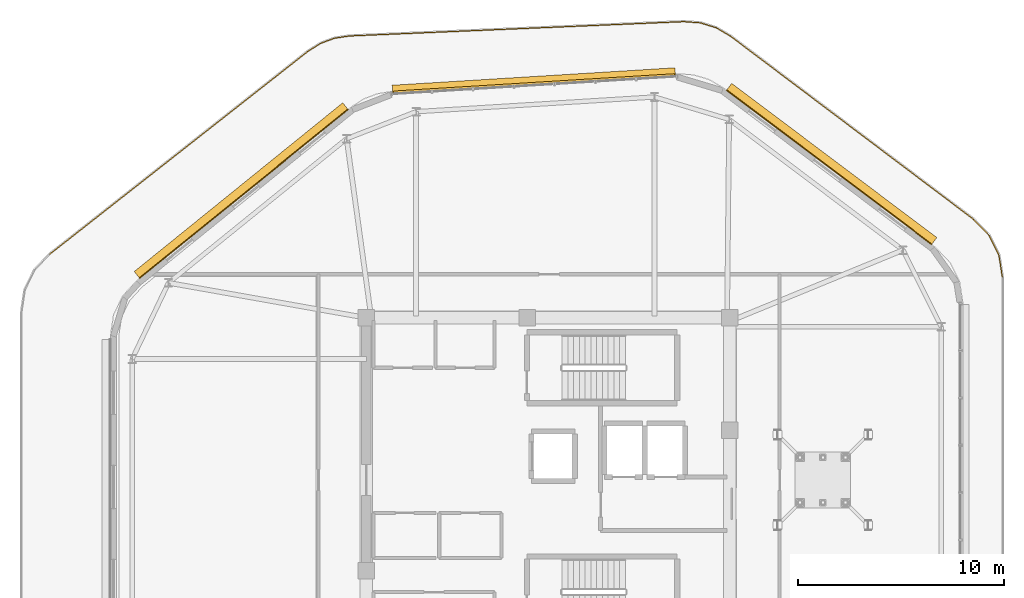
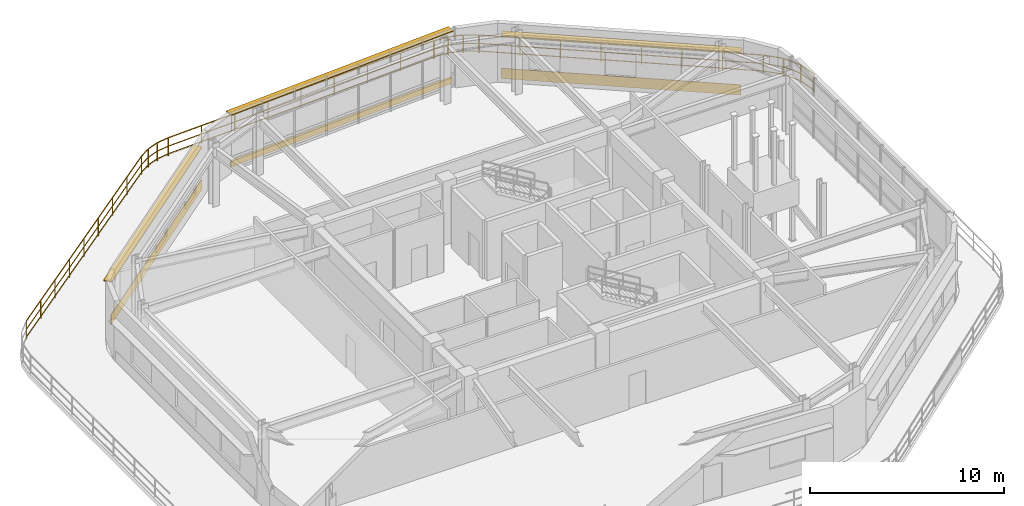
# One storey, part 13 of 13: 12 railings, 4 shading devices, 2 coverings.
"""IFC4 building model written with IfcOpenShell, lengths in metres."""

from ifc_helpers import new_model, si_unit, direction, frame, origin, origin_2d, place, context, subcontext, project, spatial, rectangle, extrude, material, layer, layer_set, type_object, element, save


model = new_model("IFC4")

# Units and contexts
model_context = context("Model", 3, precision=1e-05, world=origin(), true_north=direction((0.0, 1.0)))
body_context = subcontext(model_context, "Body", "Model", "MODEL_VIEW")
ifc_project = project(units=[si_unit("LENGTHUNIT", "METRE"), si_unit("AREAUNIT", "SQUARE_METRE"), si_unit("VOLUMEUNIT", "CUBIC_METRE"), si_unit("PLANEANGLEUNIT", "RADIAN"), si_unit("MASSUNIT", "GRAM", prefix="KILO")], contexts=[model_context])

# Site, building, storey
site_placement = place(None, origin())
site = spatial("IfcSite", under=ifc_project, at=site_placement, CompositionType="ELEMENT")
building_placement = place(site_placement, origin())
building = spatial("IfcBuilding", under=site, at=building_placement, Name="Zulverin Broadcast Headquarters", CompositionType="ELEMENT")
storey_placement = place(building_placement, frame((0.0, 0.0, 313.39990234375)))
storey = spatial("IfcBuildingStorey", under=building, at=storey_placement, Name="C1", CompositionType="ELEMENT", Elevation=313.39990234375)

# Coverings
ifc_material_1 = material(Name="Brushed pale-aluminium rainscreen cladding", Category="aluminium")
ifc_layer_1 = layer(ifc_material_1, 0.0400390625, Name="Brushed pale-aluminium rainscreen cladding", Category="aluminium")
ifc_layer_set_1 = layer_set([ifc_layer_1], Name="Brushed pale-aluminium rainscreen cladding")
covering_type = type_object("IfcCoveringType", Name="COV-CLAD-PALE", PredefinedType="CLADDING", material=ifc_layer_set_1)
covering_1_placement = place(storey_placement, frame((53.106201171875, 40.3896484375, 0.05517578125), z_axis=(0.0, 0.0, 1.0), x_axis=(-0.799364926249, 0.600845832708, 0.0)))
element("IfcCovering", 1, at=covering_1_placement, inside=storey, type_object=covering_type, Name="C1 Brushed Pale-Aluminium Spandrel Cladding 4", PredefinedType="CLADDING", context=body_context, shape_type="SweptSolid", body=[
    extrude(rectangle(XDim=12.466796875, YDim=0.0400390625, at=origin_2d()), origin(), (0.0, 0.0, 1.0), 0.64990234375),
])
covering_2_placement = place(storey_placement, frame((24.673828125, 39.10009765625, 0.05517578125), z_axis=(0.0, 0.0, 1.0), x_axis=(-0.777324964526, -0.629099276367, 0.0)))
element("IfcCovering", 2, at=covering_2_placement, inside=storey, type_object=covering_type, Name="C1 Brushed Pale-Aluminium Spandrel Cladding 6", PredefinedType="CLADDING", context=body_context, shape_type="SweptSolid", body=[
    extrude(rectangle(XDim=13.0283203125, YDim=0.0400390625, at=origin_2d()), origin(), (0.0, 0.0, 1.0), 0.64990234375),
])

# Railings
ifc_material_2 = material(Name="Brushed stainless steel & laminated glass balustrade", Category="steel")
railing_type = type_object("IfcRailingType", Name="RL-GUARD-1150", PredefinedType="GUARDRAIL", material=ifc_material_2)
railing_1_placement = place(storey_placement, frame((15.2421875, 36.1669921875, 0.0)))
element("IfcRailing", 3, at=railing_1_placement, inside=storey, type_object=railing_type, Name="C1 Stepped Crown Terrace Perimeter Balustrade Segment 09", PredefinedType="GUARDRAIL", context=body_context, shape_type="SweptSolid", body=[
    extrude(rectangle(XDim=0.048095703125, YDim=0.048095703125, at=origin_2d()), frame((0.0, 0.0, 1.1259765625), z_axis=(0.786374168578, 0.61775048927, 0.0), x_axis=(-0.61775048927, 0.786374168578, 0.0)), (0.0, 0.0, 1.0), 15.93212890625),
    extrude(rectangle(XDim=0.0419921875, YDim=0.0419921875, at=origin_2d()), frame((0.0, 0.0, 0.597900390625), z_axis=(0.786374168578, 0.61775048927, 0.0), x_axis=(-0.61775048927, 0.786374168578, 0.0)), (0.0, 0.0, 1.0), 15.93212890625),
    extrude(rectangle(XDim=0.0419921875, YDim=0.0419921875, at=origin_2d()), frame((0.0, 0.0, 0.1201171875), z_axis=(0.786374168578, 0.61775048927, 0.0), x_axis=(-0.61775048927, 0.786374168578, 0.0)), (0.0, 0.0, 1.0), 15.93212890625),
    extrude(rectangle(XDim=0.0419921875, YDim=0.0419921875, at=origin_2d()), origin(), (0.0, 0.0, 1.0), 1.101806640625),
    extrude(rectangle(XDim=0.0419921875, YDim=0.0419921875, at=origin_2d()), frame((1.566162109375, 1.230224609375, 0.0)), (0.0, 0.0, 1.0), 1.101806640625),
    extrude(rectangle(XDim=0.0419921875, YDim=0.0419921875, at=origin_2d()), frame((3.132080078125, 2.46044921875, 0.0)), (0.0, 0.0, 1.0), 1.101806640625),
    extrude(rectangle(XDim=0.0419921875, YDim=0.0419921875, at=origin_2d()), frame((4.6982421875, 3.690673828125, 0.0)), (0.0, 0.0, 1.0), 1.101806640625),
    extrude(rectangle(XDim=0.0419921875, YDim=0.0419921875, at=origin_2d()), frame((6.26416015625, 4.9208984375, 0.0)), (0.0, 0.0, 1.0), 1.101806640625),
    extrude(rectangle(XDim=0.0419921875, YDim=0.0419921875, at=origin_2d()), frame((7.830322265625, 6.1513671875, 0.0)), (0.0, 0.0, 1.0), 1.101806640625),
    extrude(rectangle(XDim=0.0419921875, YDim=0.0419921875, at=origin_2d()), frame((9.396484375, 7.381591796875, 0.0)), (0.0, 0.0, 1.0), 1.101806640625),
    extrude(rectangle(XDim=0.0419921875, YDim=0.0419921875, at=origin_2d()), frame((10.96240234375, 8.61181640625, 0.0)), (0.0, 0.0, 1.0), 1.101806640625),
    extrude(rectangle(XDim=0.0419921875, YDim=0.0419921875, at=origin_2d()), frame((12.528564453125, 9.842041015625, 0.0)), (0.0, 0.0, 1.0), 1.101806640625),
])
railing_2_placement = place(storey_placement, frame((27.79541015625, 46.0263671875, 0.0)))
element("IfcRailing", 4, at=railing_2_placement, inside=storey, type_object=railing_type, Name="C1 Stepped Crown Terrace Perimeter Balustrade Segment 10", PredefinedType="GUARDRAIL", context=body_context, shape_type="SweptSolid", body=[
    extrude(rectangle(XDim=0.048095703125, YDim=0.048095703125, at=origin_2d()), frame((0.0, 0.0, 1.1259765625), z_axis=(0.846024242344, 0.533144428242, 0.0), x_axis=(-0.533144428242, 0.846024242344, 0.0)), (0.0, 0.0, 1.0), 0.703857421875),
    extrude(rectangle(XDim=0.0419921875, YDim=0.0419921875, at=origin_2d()), frame((0.0, 0.0, 0.597900390625), z_axis=(0.846024242344, 0.533144428242, 0.0), x_axis=(-0.533144428242, 0.846024242344, 0.0)), (0.0, 0.0, 1.0), 0.703857421875),
    extrude(rectangle(XDim=0.0419921875, YDim=0.0419921875, at=origin_2d()), frame((0.0, 0.0, 0.1201171875), z_axis=(0.846024242344, 0.533144428242, 0.0), x_axis=(-0.533144428242, 0.846024242344, 0.0)), (0.0, 0.0, 1.0), 0.703857421875),
    extrude(rectangle(XDim=0.0419921875, YDim=0.0419921875, at=origin_2d()), origin(), (0.0, 0.0, 1.0), 1.101806640625),
    extrude(rectangle(XDim=0.0419921875, YDim=0.0419921875, at=origin_2d()), frame((0.595458984375, 0.375244140625, 0.0)), (0.0, 0.0, 1.0), 1.101806640625),
])
railing_3_placement = place(storey_placement, frame((28.41748046875, 46.414794921875, 0.0)))
element("IfcRailing", 5, at=railing_3_placement, inside=storey, type_object=railing_type, Name="C1 Stepped Crown Terrace Perimeter Balustrade Segment 11", PredefinedType="GUARDRAIL", context=body_context, shape_type="SweptSolid", body=[
    extrude(rectangle(XDim=0.048095703125, YDim=0.048095703125, at=origin_2d()), frame((0.0, 0.0, 1.1259765625), z_axis=(0.937925419525, 0.346837004095, 0.0), x_axis=(-0.346837004095, 0.937925419525, 0.0)), (0.0, 0.0, 1.0), 0.69970703125),
    extrude(rectangle(XDim=0.0419921875, YDim=0.0419921875, at=origin_2d()), frame((0.0, 0.0, 0.597900390625), z_axis=(0.937925419525, 0.346837004095, 0.0), x_axis=(-0.346837004095, 0.937925419525, 0.0)), (0.0, 0.0, 1.0), 0.69970703125),
    extrude(rectangle(XDim=0.0419921875, YDim=0.0419921875, at=origin_2d()), frame((0.0, 0.0, 0.1201171875), z_axis=(0.937925419525, 0.346837004095, 0.0), x_axis=(-0.346837004095, 0.937925419525, 0.0)), (0.0, 0.0, 1.0), 0.69970703125),
    extrude(rectangle(XDim=0.0419921875, YDim=0.0419921875, at=origin_2d()), origin(), (0.0, 0.0, 1.0), 1.101806640625),
    extrude(rectangle(XDim=0.0419921875, YDim=0.0419921875, at=origin_2d()), frame((0.65625, 0.24267578125, 0.0)), (0.0, 0.0, 1.0), 1.101806640625),
])
railing_4_placement = place(storey_placement, frame((29.1025390625, 46.664794921875, 0.0)))
element("IfcRailing", 6, at=railing_4_placement, inside=storey, type_object=railing_type, Name="C1 Stepped Crown Terrace Perimeter Balustrade Segment 12", PredefinedType="GUARDRAIL", context=body_context, shape_type="SweptSolid", body=[
    extrude(rectangle(XDim=0.048095703125, YDim=0.048095703125, at=origin_2d()), frame((0.0, 0.0, 1.1259765625), z_axis=(0.989287080021, 0.145983126775, 0.0), x_axis=(-0.145983126775, 0.989287080021, 0.0)), (0.0, 0.0, 1.0), 0.7041015625),
    extrude(rectangle(XDim=0.0419921875, YDim=0.0419921875, at=origin_2d()), frame((0.0, 0.0, 0.597900390625), z_axis=(0.989287080021, 0.145983126775, 0.0), x_axis=(-0.145983126775, 0.989287080021, 0.0)), (0.0, 0.0, 1.0), 0.7041015625),
    extrude(rectangle(XDim=0.0419921875, YDim=0.0419921875, at=origin_2d()), frame((0.0, 0.0, 0.1201171875), z_axis=(0.989287080021, 0.145983126775, 0.0), x_axis=(-0.145983126775, 0.989287080021, 0.0)), (0.0, 0.0, 1.0), 0.7041015625),
    extrude(rectangle(XDim=0.0419921875, YDim=0.0419921875, at=origin_2d()), origin(), (0.0, 0.0, 1.0), 1.101806640625),
    extrude(rectangle(XDim=0.0419921875, YDim=0.0419921875, at=origin_2d()), frame((0.696533203125, 0.102783203125, 0.0)), (0.0, 0.0, 1.0), 1.101806640625),
])
railing_5_placement = place(storey_placement, frame((29.828857421875, 46.7705078125, 0.0)))
element("IfcRailing", 7, at=railing_5_placement, inside=storey, type_object=railing_type, Name="C1 Stepped Crown Terrace Perimeter Balustrade Segment 13", PredefinedType="GUARDRAIL", context=body_context, shape_type="SweptSolid", body=[
    extrude(rectangle(XDim=0.048095703125, YDim=0.048095703125, at=origin_2d()), frame((0.0, 0.0, 1.1259765625), z_axis=(0.999084386096, 0.042783051081, 0.0), x_axis=(-0.042783051081, 0.999084386096, 0.0)), (0.0, 0.0, 1.0), 16.212158203125),
    extrude(rectangle(XDim=0.0419921875, YDim=0.0419921875, at=origin_2d()), frame((0.0, 0.0, 0.597900390625), z_axis=(0.999084386096, 0.042783051081, 0.0), x_axis=(-0.042783051081, 0.999084386096, 0.0)), (0.0, 0.0, 1.0), 16.212158203125),
    extrude(rectangle(XDim=0.0419921875, YDim=0.0419921875, at=origin_2d()), frame((0.0, 0.0, 0.1201171875), z_axis=(0.999084386096, 0.042783051081, 0.0), x_axis=(-0.042783051081, 0.999084386096, 0.0)), (0.0, 0.0, 1.0), 16.212158203125),
    extrude(rectangle(XDim=0.0419921875, YDim=0.0419921875, at=origin_2d()), origin(), (0.0, 0.0, 1.0), 1.101806640625),
    extrude(rectangle(XDim=0.0419921875, YDim=0.0419921875, at=origin_2d()), frame((2.024658203125, 0.086669921875, 0.0)), (0.0, 0.0, 1.0), 1.101806640625),
    extrude(rectangle(XDim=0.0419921875, YDim=0.0419921875, at=origin_2d()), frame((4.04931640625, 0.17333984375, 0.0)), (0.0, 0.0, 1.0), 1.101806640625),
    extrude(rectangle(XDim=0.0419921875, YDim=0.0419921875, at=origin_2d()), frame((6.073974609375, 0.260009765625, 0.0)), (0.0, 0.0, 1.0), 1.101806640625),
    extrude(rectangle(XDim=0.0419921875, YDim=0.0419921875, at=origin_2d()), frame((8.0986328125, 0.3466796875, 0.0)), (0.0, 0.0, 1.0), 1.101806640625),
    extrude(rectangle(XDim=0.0419921875, YDim=0.0419921875, at=origin_2d()), frame((10.123291015625, 0.43359375, 0.0)), (0.0, 0.0, 1.0), 1.101806640625),
    extrude(rectangle(XDim=0.0419921875, YDim=0.0419921875, at=origin_2d()), frame((12.14794921875, 0.520263671875, 0.0)), (0.0, 0.0, 1.0), 1.101806640625),
    extrude(rectangle(XDim=0.0419921875, YDim=0.0419921875, at=origin_2d()), frame((14.172607421875, 0.60693359375, 0.0)), (0.0, 0.0, 1.0), 1.101806640625),
    extrude(rectangle(XDim=0.0419921875, YDim=0.0419921875, at=origin_2d()), frame((16.197265625, 0.693603515625, 0.0)), (0.0, 0.0, 1.0), 1.101806640625),
])
railing_6_placement = place(storey_placement, frame((46.05615234375, 47.463623046875, 0.0)))
element("IfcRailing", 8, at=railing_6_placement, inside=storey, type_object=railing_type, Name="C1 Stepped Crown Terrace Perimeter Balustrade Segment 14", PredefinedType="GUARDRAIL", context=body_context, shape_type="SweptSolid", body=[
    extrude(rectangle(XDim=0.048095703125, YDim=0.048095703125, at=origin_2d()), frame((0.0, 0.0, 1.1259765625), z_axis=(0.997409244931, -0.071936069719, 0.0), x_axis=(0.071936069719, 0.997409244931, 0.0)), (0.0, 0.0, 1.0), 0.780517578125),
    extrude(rectangle(XDim=0.0419921875, YDim=0.0419921875, at=origin_2d()), frame((0.0, 0.0, 0.597900390625), z_axis=(0.997409244931, -0.071936069719, 0.0), x_axis=(0.071936069719, 0.997409244931, 0.0)), (0.0, 0.0, 1.0), 0.780517578125),
    extrude(rectangle(XDim=0.0419921875, YDim=0.0419921875, at=origin_2d()), frame((0.0, 0.0, 0.1201171875), z_axis=(0.997409244931, -0.071936069719, 0.0), x_axis=(0.071936069719, 0.997409244931, 0.0)), (0.0, 0.0, 1.0), 0.780517578125),
    extrude(rectangle(XDim=0.0419921875, YDim=0.0419921875, at=origin_2d()), origin(), (0.0, 0.0, 1.0), 1.101806640625),
    extrude(rectangle(XDim=0.0419921875, YDim=0.0419921875, at=origin_2d()), frame((0.778564453125, -0.05615234375, 0.0)), (0.0, 0.0, 1.0), 1.101806640625),
])
railing_7_placement = place(storey_placement, frame((46.864013671875, 47.40185546875, 0.0)))
element("IfcRailing", 9, at=railing_7_placement, inside=storey, type_object=railing_type, Name="C1 Stepped Crown Terrace Perimeter Balustrade Segment 15", PredefinedType="GUARDRAIL", context=body_context, shape_type="SweptSolid", body=[
    extrude(rectangle(XDim=0.048095703125, YDim=0.048095703125, at=origin_2d()), frame((0.0, 0.0, 1.1259765625), z_axis=(0.954876606272, -0.297002806037, 0.0), x_axis=(0.297002806037, 0.954876606272, 0.0)), (0.0, 0.0, 1.0), 0.77587890625),
    extrude(rectangle(XDim=0.0419921875, YDim=0.0419921875, at=origin_2d()), frame((0.0, 0.0, 0.597900390625), z_axis=(0.954876606272, -0.297002806037, 0.0), x_axis=(0.297002806037, 0.954876606272, 0.0)), (0.0, 0.0, 1.0), 0.77587890625),
    extrude(rectangle(XDim=0.0419921875, YDim=0.0419921875, at=origin_2d()), frame((0.0, 0.0, 0.1201171875), z_axis=(0.954876606272, -0.297002806037, 0.0), x_axis=(0.297002806037, 0.954876606272, 0.0)), (0.0, 0.0, 1.0), 0.77587890625),
    extrude(rectangle(XDim=0.0419921875, YDim=0.0419921875, at=origin_2d()), origin(), (0.0, 0.0, 1.0), 1.101806640625),
    extrude(rectangle(XDim=0.0419921875, YDim=0.0419921875, at=origin_2d()), frame((0.740966796875, -0.23046875, 0.0)), (0.0, 0.0, 1.0), 1.101806640625),
])
railing_8_placement = place(storey_placement, frame((47.63232421875, 47.159423828125, 0.0)))
element("IfcRailing", 10, at=railing_8_placement, inside=storey, type_object=railing_type, Name="C1 Stepped Crown Terrace Perimeter Balustrade Segment 16", PredefinedType="GUARDRAIL", context=body_context, shape_type="SweptSolid", body=[
    extrude(rectangle(XDim=0.048095703125, YDim=0.048095703125, at=origin_2d()), frame((0.0, 0.0, 1.1259765625), z_axis=(0.862175291632, -0.506610073429, 0.0), x_axis=(0.506610073429, 0.862175291632, 0.0)), (0.0, 0.0, 1.0), 0.78076171875),
    extrude(rectangle(XDim=0.0419921875, YDim=0.0419921875, at=origin_2d()), frame((0.0, 0.0, 0.597900390625), z_axis=(0.862175291632, -0.506610073429, 0.0), x_axis=(0.506610073429, 0.862175291632, 0.0)), (0.0, 0.0, 1.0), 0.78076171875),
    extrude(rectangle(XDim=0.0419921875, YDim=0.0419921875, at=origin_2d()), frame((0.0, 0.0, 0.1201171875), z_axis=(0.862175291632, -0.506610073429, 0.0), x_axis=(0.506610073429, 0.862175291632, 0.0)), (0.0, 0.0, 1.0), 0.78076171875),
    extrude(rectangle(XDim=0.0419921875, YDim=0.0419921875, at=origin_2d()), origin(), (0.0, 0.0, 1.0), 1.101806640625),
    extrude(rectangle(XDim=0.0419921875, YDim=0.0419921875, at=origin_2d()), frame((0.673095703125, -0.3955078125, 0.0)), (0.0, 0.0, 1.0), 1.101806640625),
])
railing_9_placement = place(storey_placement, frame((48.330322265625, 46.747314453125, 0.0)))
element("IfcRailing", 11, at=railing_9_placement, inside=storey, type_object=railing_type, Name="C1 Stepped Crown Terrace Perimeter Balustrade Segment 17", PredefinedType="GUARDRAIL", context=body_context, shape_type="SweptSolid", body=[
    extrude(rectangle(XDim=0.048095703125, YDim=0.048095703125, at=origin_2d()), frame((0.0, 0.0, 1.1259765625), z_axis=(0.798632393447, -0.601819158998, 0.0), x_axis=(0.601819158998, 0.798632393447, 0.0)), (0.0, 0.0, 1.0), 14.7392578125),
    extrude(rectangle(XDim=0.0419921875, YDim=0.0419921875, at=origin_2d()), frame((0.0, 0.0, 0.597900390625), z_axis=(0.798632393447, -0.601819158998, 0.0), x_axis=(0.601819158998, 0.798632393447, 0.0)), (0.0, 0.0, 1.0), 14.7392578125),
    extrude(rectangle(XDim=0.0419921875, YDim=0.0419921875, at=origin_2d()), frame((0.0, 0.0, 0.1201171875), z_axis=(0.798632393447, -0.601819158998, 0.0), x_axis=(0.601819158998, 0.798632393447, 0.0)), (0.0, 0.0, 1.0), 14.7392578125),
    extrude(rectangle(XDim=0.0419921875, YDim=0.0419921875, at=origin_2d()), origin(), (0.0, 0.0, 1.0), 1.101806640625),
    extrude(rectangle(XDim=0.0419921875, YDim=0.0419921875, at=origin_2d()), frame((1.681640625, -1.26708984375, 0.0)), (0.0, 0.0, 1.0), 1.101806640625),
    extrude(rectangle(XDim=0.0419921875, YDim=0.0419921875, at=origin_2d()), frame((3.36328125, -2.534423828125, 0.0)), (0.0, 0.0, 1.0), 1.101806640625),
    extrude(rectangle(XDim=0.0419921875, YDim=0.0419921875, at=origin_2d()), frame((5.044921875, -3.801513671875, 0.0)), (0.0, 0.0, 1.0), 1.101806640625),
    extrude(rectangle(XDim=0.0419921875, YDim=0.0419921875, at=origin_2d()), frame((6.726318359375, -5.06884765625, 0.0)), (0.0, 0.0, 1.0), 1.101806640625),
    extrude(rectangle(XDim=0.0419921875, YDim=0.0419921875, at=origin_2d()), frame((8.407958984375, -6.3359375, 0.0)), (0.0, 0.0, 1.0), 1.101806640625),
    extrude(rectangle(XDim=0.0419921875, YDim=0.0419921875, at=origin_2d()), frame((10.089599609375, -7.603271484375, 0.0)), (0.0, 0.0, 1.0), 1.101806640625),
    extrude(rectangle(XDim=0.0419921875, YDim=0.0419921875, at=origin_2d()), frame((11.771240234375, -8.870361328125, 0.0)), (0.0, 0.0, 1.0), 1.101806640625),
])
railing_10_placement = place(storey_placement, frame((60.1240234375, 37.857177734375, 0.0)))
element("IfcRailing", 12, at=railing_10_placement, inside=storey, type_object=railing_type, Name="C1 Stepped Crown Terrace Perimeter Balustrade Segment 18", PredefinedType="GUARDRAIL", context=body_context, shape_type="SweptSolid", body=[
    extrude(rectangle(XDim=0.048095703125, YDim=0.048095703125, at=origin_2d()), frame((0.0, 0.0, 1.1259765625), z_axis=(0.696751724446, -0.717312368834, 0.0), x_axis=(0.717312368834, 0.696751724446, 0.0)), (0.0, 0.0, 1.0), 1.056884765625),
    extrude(rectangle(XDim=0.0419921875, YDim=0.0419921875, at=origin_2d()), frame((0.0, 0.0, 0.597900390625), z_axis=(0.696751724446, -0.717312368834, 0.0), x_axis=(0.717312368834, 0.696751724446, 0.0)), (0.0, 0.0, 1.0), 1.056884765625),
    extrude(rectangle(XDim=0.0419921875, YDim=0.0419921875, at=origin_2d()), frame((0.0, 0.0, 0.1201171875), z_axis=(0.696751724446, -0.717312368834, 0.0), x_axis=(0.717312368834, 0.696751724446, 0.0)), (0.0, 0.0, 1.0), 1.056884765625),
    extrude(rectangle(XDim=0.0419921875, YDim=0.0419921875, at=origin_2d()), origin(), (0.0, 0.0, 1.0), 1.101806640625),
    extrude(rectangle(XDim=0.0419921875, YDim=0.0419921875, at=origin_2d()), frame((0.736328125, -0.758056640625, 0.0)), (0.0, 0.0, 1.0), 1.101806640625),
])
railing_11_placement = place(storey_placement, frame((60.877685546875, 37.074951171875, 0.0)))
element("IfcRailing", 13, at=railing_11_placement, inside=storey, type_object=railing_type, Name="C1 Stepped Crown Terrace Perimeter Balustrade Segment 19", PredefinedType="GUARDRAIL", context=body_context, shape_type="SweptSolid", body=[
    extrude(rectangle(XDim=0.048095703125, YDim=0.048095703125, at=origin_2d()), frame((0.0, 0.0, 1.1259765625), z_axis=(0.446098002848, -0.894984118214, 0.0), x_axis=(0.894984118214, 0.446098002848, 0.0)), (0.0, 0.0, 1.0), 1.05078125),
    extrude(rectangle(XDim=0.0419921875, YDim=0.0419921875, at=origin_2d()), frame((0.0, 0.0, 0.597900390625), z_axis=(0.446098002848, -0.894984118214, 0.0), x_axis=(0.894984118214, 0.446098002848, 0.0)), (0.0, 0.0, 1.0), 1.05078125),
    extrude(rectangle(XDim=0.0419921875, YDim=0.0419921875, at=origin_2d()), frame((0.0, 0.0, 0.1201171875), z_axis=(0.446098002848, -0.894984118214, 0.0), x_axis=(0.894984118214, 0.446098002848, 0.0)), (0.0, 0.0, 1.0), 1.05078125),
    extrude(rectangle(XDim=0.0419921875, YDim=0.0419921875, at=origin_2d()), origin(), (0.0, 0.0, 1.0), 1.101806640625),
    extrude(rectangle(XDim=0.0419921875, YDim=0.0419921875, at=origin_2d()), frame((0.46875, -0.9404296875, 0.0)), (0.0, 0.0, 1.0), 1.101806640625),
])
railing_12_placement = place(storey_placement, frame((61.35546875, 36.106201171875, 0.0)))
element("IfcRailing", 14, at=railing_12_placement, inside=storey, type_object=railing_type, Name="C1 Stepped Crown Terrace Perimeter Balustrade Segment 20", PredefinedType="GUARDRAIL", context=body_context, shape_type="SweptSolid", body=[
    extrude(rectangle(XDim=0.048095703125, YDim=0.048095703125, at=origin_2d()), frame((0.0, 0.0, 1.1259765625), z_axis=(0.153376218887, -0.988167868067, 0.0), x_axis=(0.988167868067, 0.153376218887, 0.0)), (0.0, 0.0, 1.0), 1.056884765625),
    extrude(rectangle(XDim=0.0419921875, YDim=0.0419921875, at=origin_2d()), frame((0.0, 0.0, 0.597900390625), z_axis=(0.153376218887, -0.988167868067, 0.0), x_axis=(0.988167868067, 0.153376218887, 0.0)), (0.0, 0.0, 1.0), 1.056884765625),
    extrude(rectangle(XDim=0.0419921875, YDim=0.0419921875, at=origin_2d()), frame((0.0, 0.0, 0.1201171875), z_axis=(0.153376218887, -0.988167868067, 0.0), x_axis=(0.988167868067, 0.153376218887, 0.0)), (0.0, 0.0, 1.0), 1.056884765625),
    extrude(rectangle(XDim=0.0419921875, YDim=0.0419921875, at=origin_2d()), origin(), (0.0, 0.0, 1.0), 1.101806640625),
    extrude(rectangle(XDim=0.0419921875, YDim=0.0419921875, at=origin_2d()), frame((0.162109375, -1.04443359375, 0.0)), (0.0, 0.0, 1.0), 1.101806640625),
])

# Shading devices
ifc_material_3 = material(Name="Anodized pale-metal aluminium acoustic louvre", Category="aluminium")
shading_device_type_1 = type_object("IfcShadingDeviceType", Name="SHD-LOUVRE-350", PredefinedType="USERDEFINED", material=ifc_material_3)
shading_device_1_placement = place(storey_placement, frame((38.76953125, 44.455078125, 0.22509765625), z_axis=(0.0, 0.0, 1.0), x_axis=(-0.998102804121, -0.061569411283, 0.0)))
element("IfcShadingDevice", 15, at=shading_device_1_placement, inside=storey, type_object=shading_device_type_1, Name="C1 Pale-Metal Acoustic Louvre Screen CW-C1-E5", ObjectType="LOUVRE", PredefinedType="USERDEFINED", context=body_context, shape_type="SweptSolid", body=[
    extrude(rectangle(XDim=13.68310546875, YDim=0.1201171875, at=origin_2d()), origin(), (0.0, 0.0, 1.0), 0.35009765625),
])
ifc_material_4 = material(Name="Anodized pale-metal aluminium sunshade", Category="aluminium")
ifc_layer_2 = layer(ifc_material_4, 0.06005859375, Name="Anodized pale-metal aluminium sunshade", Category="aluminium")
ifc_layer_set_2 = layer_set([ifc_layer_2], Name="Anodized pale-metal aluminium sunshade")
shading_device_type_2 = type_object("IfcShadingDeviceType", Name="SS-01_PALE_METAL_ALUMINIUM_SUNSHADE", PredefinedType="USERDEFINED", material=ifc_layer_set_2)
shading_device_2_placement = place(storey_placement, frame((53.220458984375, 40.54150390625, 2.7099609375), z_axis=(0.0, 0.0, 1.0), x_axis=(-0.799364926249, 0.600845832708, 0.0)))
element("IfcShadingDevice", 16, at=shading_device_2_placement, inside=storey, type_object=shading_device_type_2, Name="C1 Horizontal Pale-Metal Sunshade Band 4", ObjectType="SUNSHADE", PredefinedType="USERDEFINED", context=body_context, shape_type="SweptSolid", body=[
    extrude(rectangle(XDim=12.466796875, YDim=0.449951171875, at=origin_2d()), origin(), (0.0, 0.0, 1.0), 0.06005859375),
])
shading_device_3_placement = place(storey_placement, frame((38.76220703125, 44.57470703125, 3.489990234375), z_axis=(0.0, 0.0, 1.0), x_axis=(-0.998102804121, -0.061569411283, 0.0)))
element("IfcShadingDevice", 17, at=shading_device_3_placement, inside=storey, type_object=shading_device_type_2, Name="C1 Pale-Metal Horizontal Sunshade Band CW-C1-E5", ObjectType="SUNSHADE", PredefinedType="USERDEFINED", context=body_context, shape_type="SweptSolid", body=[
    extrude(rectangle(XDim=13.762939453125, YDim=0.449951171875, at=origin_2d()), origin(), (0.0, 0.0, 1.0), 0.06005859375),
])
shading_device_4_placement = place(storey_placement, frame((24.55419921875, 39.247802734375, 2.7099609375), z_axis=(0.0, 0.0, 1.0), x_axis=(-0.777324964526, -0.629099276367, 0.0)))
element("IfcShadingDevice", 18, at=shading_device_4_placement, inside=storey, type_object=shading_device_type_2, Name="C1 Horizontal Pale-Metal Sunshade Band 6", ObjectType="SUNSHADE", PredefinedType="USERDEFINED", context=body_context, shape_type="SweptSolid", body=[
    extrude(rectangle(XDim=13.0283203125, YDim=0.449951171875, at=origin_2d()), origin(), (0.0, 0.0, 1.0), 0.06005859375),
])

save(model, "model.ifc")
